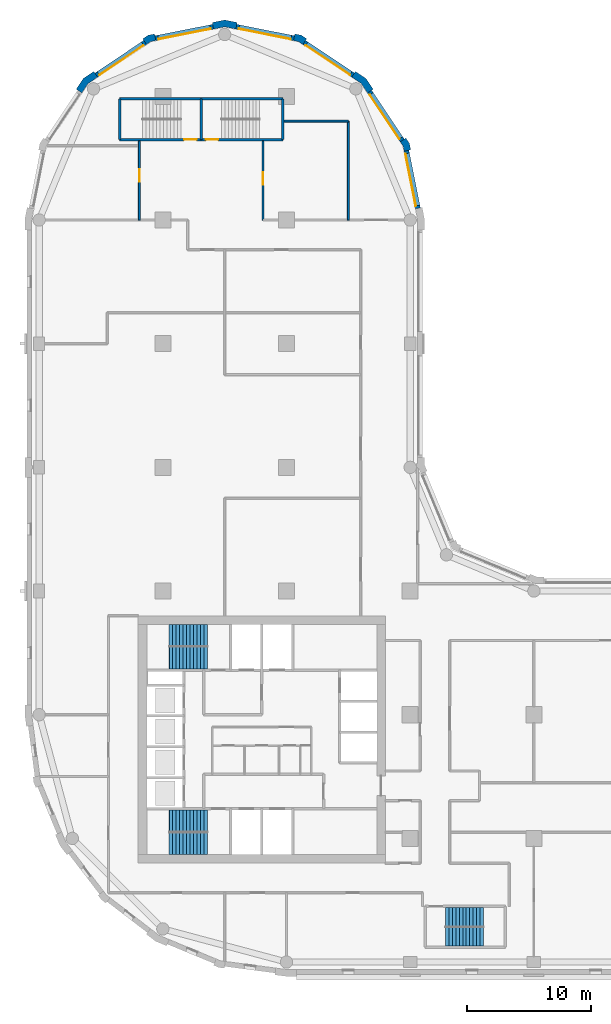
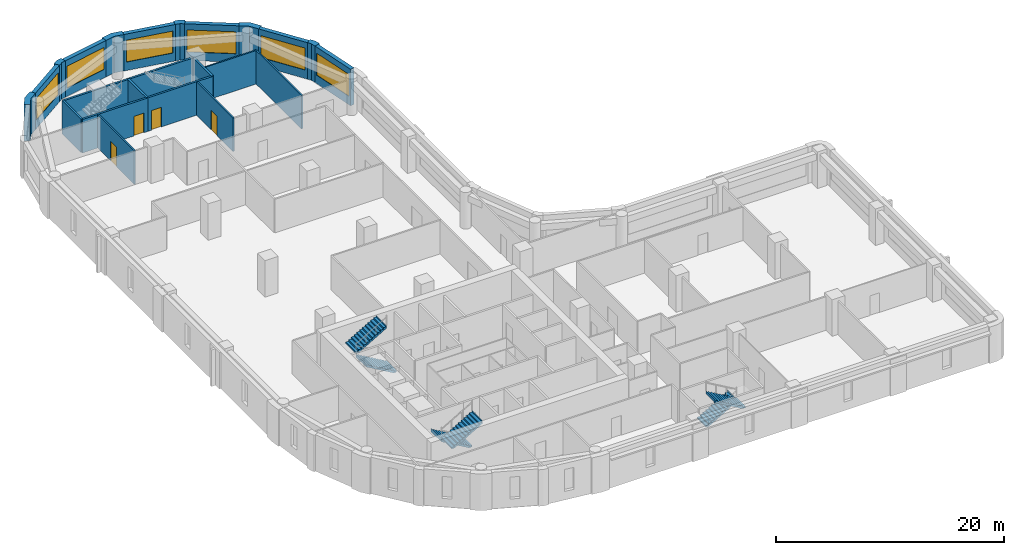
# One storey, part 6 of 9: 23 walls, 6 stair flights, 6 windows, 4 doors, 10 openings, 3 elements without a shape of their own.
"""IFC4 building model written with IfcOpenShell, lengths in metres."""

from ifc_helpers import new_model, si_unit, direction, frame, frame_2d, origin, place, context, subcontext, project, spatial, polyline, rectangle, outline, extrude, material, layer, layer_set, type_object, element, fill, aggregate, save


model = new_model("IFC4")

# Units and contexts
model_context = context("Model", 3, precision=1e-05, world=origin(), true_north=direction((0.0, 1.0)))
body_context = subcontext(model_context, "Body", "Model", "MODEL_VIEW")
ifc_project = project(units=[si_unit("LENGTHUNIT", "METRE"), si_unit("AREAUNIT", "SQUARE_METRE"), si_unit("VOLUMEUNIT", "CUBIC_METRE"), si_unit("PLANEANGLEUNIT", "RADIAN"), si_unit("MASSUNIT", "GRAM", prefix="KILO")], contexts=[model_context])

# Site, building, storey
site_placement = place(None, origin())
site = spatial("IfcSite", under=ifc_project, at=site_placement, CompositionType="ELEMENT")
building_placement = place(site_placement, origin())
building = spatial("IfcBuilding", under=site, at=building_placement, Name="Qaws Garden Tower", CompositionType="ELEMENT")
storey_placement = place(building_placement, frame((0.0, 0.0, 190.199951171875)))
storey = spatial("IfcBuildingStorey", under=building, at=storey_placement, Name="L46", CompositionType="ELEMENT", Elevation=190.199951171875)

# Wall, opening, window
ifc_material_1 = material(Name="Clay facing brick masonry", Category="masonry")
ifc_layer_1 = layer(ifc_material_1, 0.39990234375)
ifc_layer_set_1 = layer_set([ifc_layer_1], Name="Clay facing brick masonry")
wall_type_1 = type_object("IfcWallType", Name="Brick infill wall 400", PredefinedType="SOLIDWALL", material=ifc_layer_set_1)
wall_1_placement = place(storey_placement, frame((30.628662109375, 60.940673828125, 0.0), z_axis=(0.0, 0.0, 1.0), x_axis=(-0.195098533057, 0.98078364709, 0.0)))
wall_1 = element("IfcWall", 1, at=wall_1_placement, inside=storey, type_object=wall_type_1, Name="E-L46-infill-13", PredefinedType="SOLIDWALL", context=body_context, shape_type="SweptSolid", body=[
    extrude(rectangle(XDim=4.752685546875, YDim=0.39990234375, at=frame_2d((2.37646484375, 0.0))), origin(), (0.0, 0.0, 1.0), 3.900146484375),
])
opening_1_placement = place(wall_1_placement, frame((0.226318359375, 0.0, 0.89990234375)))
opening_1 = element("IfcOpeningElement", 2, at=opening_1_placement, cuts=wall_1, Name="Opening W06", PredefinedType="OPENING", context=body_context, shape_type="SweptSolid", body=[
    extrude(rectangle(XDim=4.300048828125, YDim=2.35009765625, at=frame_2d((2.14990234375, 1.175048828125))), frame((0.0, 0.2099609375, 0.0), z_axis=(0.0, -1.0, 0.0), x_axis=(1.0, 0.0, 0.0)), (0.0, 0.0, 1.0), 0.419921875),
])
ifc_material_2 = material(Name="Aluminium framed window, clear glazing", Category="aluminium")
window_type = type_object("IfcWindowType", Name="Ribbon window 4300 x 2350", PartitioningType="DOUBLE_PANEL_VERTICAL", PredefinedType="WINDOW", material=ifc_material_2)
window_1_placement = place(opening_1_placement, origin())
window_1 = element("IfcWindow", 3, at=window_1_placement, inside=storey, type_object=window_type, Name="E-L46-window-13-0", OverallHeight=2.35009765625, OverallWidth=4.300048828125, PartitioningType="SINGLE_PANEL", PredefinedType="WINDOW", context=body_context, shape_type="SweptSolid", body=[
    extrude(rectangle(XDim=4.300048828125, YDim=2.35009765625, at=frame_2d((2.14990234375, 1.175048828125))), frame((0.0, 0.159912109375, 0.0), z_axis=(0.0, -1.0, 0.0), x_axis=(1.0, 0.0, 0.0)), (0.0, 0.0, 1.0), 0.06005859375),
])
fill(opening_1, window_1)

wall_2_placement = place(storey_placement, frame((29.356689453125, 66.43408203125, 0.0), z_axis=(0.0, 0.0, 1.0), x_axis=(-0.555541552266, 0.831488775454, 0.0)))
wall_2 = element("IfcWall", 4, at=wall_2_placement, inside=storey, type_object=wall_type_1, Name="E-L46-infill-14", PredefinedType="SOLIDWALL", context=body_context, shape_type="SweptSolid", body=[
    extrude(rectangle(XDim=4.752685546875, YDim=0.39990234375, at=frame_2d((2.37646484375, 0.0))), origin(), (0.0, 0.0, 1.0), 3.900146484375),
])
opening_2_placement = place(wall_2_placement, frame((0.226318359375, 0.0, 0.89990234375)))
opening_2 = element("IfcOpeningElement", 5, at=opening_2_placement, cuts=wall_2, Name="Opening W06", PredefinedType="OPENING", context=body_context, shape_type="SweptSolid", body=[
    extrude(rectangle(XDim=4.300048828125, YDim=2.35009765625, at=frame_2d((2.14990234375, 1.175048828125))), frame((0.0, 0.2099609375, 0.0), z_axis=(0.0, -1.0, 0.0), x_axis=(1.0, 0.0, 0.0)), (0.0, 0.0, 1.0), 0.419921875),
])
window_2_placement = place(opening_2_placement, origin())
window_2 = element("IfcWindow", 6, at=window_2_placement, inside=storey, type_object=window_type, Name="E-L46-window-14-0", OverallHeight=2.35009765625, OverallWidth=4.300048828125, PartitioningType="SINGLE_PANEL", PredefinedType="WINDOW", context=body_context, shape_type="SweptSolid", body=[
    extrude(rectangle(XDim=4.300048828125, YDim=2.35009765625, at=frame_2d((2.14990234375, 1.175048828125))), frame((0.0, 0.159912109375, 0.0), z_axis=(0.0, -1.0, 0.0), x_axis=(1.0, 0.0, 0.0)), (0.0, 0.0, 1.0), 0.06005859375),
])
fill(opening_2, window_2)

wall_3_placement = place(storey_placement, frame((25.385986328125, 71.71630859375, 0.0), z_axis=(0.0, 0.0, 1.0), x_axis=(-0.831488775454, 0.555541552266, 0.0)))
wall_3 = element("IfcWall", 7, at=wall_3_placement, inside=storey, type_object=wall_type_1, Name="E-L46-infill-15", PredefinedType="SOLIDWALL", context=body_context, shape_type="SweptSolid", body=[
    extrude(rectangle(XDim=4.752685546875, YDim=0.39990234375, at=frame_2d((2.37646484375, 0.0))), origin(), (0.0, 0.0, 1.0), 3.900146484375),
])
opening_3_placement = place(wall_3_placement, frame((0.226318359375, 0.0, 0.89990234375)))
opening_3 = element("IfcOpeningElement", 8, at=opening_3_placement, cuts=wall_3, Name="Opening W06", PredefinedType="OPENING", context=body_context, shape_type="SweptSolid", body=[
    extrude(rectangle(XDim=4.300048828125, YDim=2.35009765625, at=frame_2d((2.14990234375, 1.175048828125))), frame((0.0, 0.2099609375, 0.0), z_axis=(0.0, -1.0, 0.0), x_axis=(1.0, 0.0, 0.0)), (0.0, 0.0, 1.0), 0.419921875),
])
window_3_placement = place(opening_3_placement, origin())
window_3 = element("IfcWindow", 9, at=window_3_placement, inside=storey, type_object=window_type, Name="E-L46-window-15-0", OverallHeight=2.35009765625, OverallWidth=4.300048828125, PartitioningType="SINGLE_PANEL", PredefinedType="WINDOW", context=body_context, shape_type="SweptSolid", body=[
    extrude(rectangle(XDim=4.300048828125, YDim=2.35009765625, at=frame_2d((2.14990234375, 1.175048828125))), frame((0.0, 0.159912109375, 0.0), z_axis=(0.0, -1.0, 0.0), x_axis=(1.0, 0.0, 0.0)), (0.0, 0.0, 1.0), 0.06005859375),
])
fill(opening_3, window_3)

wall_4_placement = place(storey_placement, frame((20.60205078125, 74.701416015625, 0.0), z_axis=(0.0, 0.0, 1.0), x_axis=(-0.98078364709, 0.195098533057, 0.0)))
wall_4 = element("IfcWall", 10, at=wall_4_placement, inside=storey, type_object=wall_type_1, Name="E-L46-infill-16", PredefinedType="SOLIDWALL", context=body_context, shape_type="SweptSolid", body=[
    extrude(rectangle(XDim=4.752685546875, YDim=0.39990234375, at=frame_2d((2.37646484375, 0.0))), origin(), (0.0, 0.0, 1.0), 3.900146484375),
])
opening_4_placement = place(wall_4_placement, frame((0.226318359375, 0.0, 0.89990234375)))
opening_4 = element("IfcOpeningElement", 11, at=opening_4_placement, cuts=wall_4, Name="Opening W06", PredefinedType="OPENING", context=body_context, shape_type="SweptSolid", body=[
    extrude(rectangle(XDim=4.300048828125, YDim=2.35009765625, at=frame_2d((2.14990234375, 1.175048828125))), frame((0.0, 0.2099609375, 0.0), z_axis=(0.0, -1.0, 0.0), x_axis=(1.0, 0.0, 0.0)), (0.0, 0.0, 1.0), 0.419921875),
])
window_4_placement = place(opening_4_placement, origin())
window_4 = element("IfcWindow", 12, at=window_4_placement, inside=storey, type_object=window_type, Name="E-L46-window-16-0", OverallHeight=2.35009765625, OverallWidth=4.300048828125, PartitioningType="SINGLE_PANEL", PredefinedType="WINDOW", context=body_context, shape_type="SweptSolid", body=[
    extrude(rectangle(XDim=4.300048828125, YDim=2.35009765625, at=frame_2d((2.14990234375, 1.175048828125))), frame((0.0, 0.159912109375, 0.0), z_axis=(0.0, -1.0, 0.0), x_axis=(1.0, 0.0, 0.0)), (0.0, 0.0, 1.0), 0.06005859375),
])
fill(opening_4, window_4)

wall_5_placement = place(storey_placement, frame((14.059326171875, 75.628662109375, 0.0), z_axis=(0.0, 0.0, 1.0), x_axis=(-0.98078364709, -0.195098533057, 0.0)))
wall_5 = element("IfcWall", 13, at=wall_5_placement, inside=storey, type_object=wall_type_1, Name="E-L46-infill-17", PredefinedType="SOLIDWALL", context=body_context, shape_type="SweptSolid", body=[
    extrude(rectangle(XDim=4.752685546875, YDim=0.39990234375, at=frame_2d((2.37646484375, 0.0))), origin(), (0.0, 0.0, 1.0), 3.900146484375),
])
opening_5_placement = place(wall_5_placement, frame((0.226318359375, 0.0, 0.89990234375)))
opening_5 = element("IfcOpeningElement", 14, at=opening_5_placement, cuts=wall_5, Name="Opening W06", PredefinedType="OPENING", context=body_context, shape_type="SweptSolid", body=[
    extrude(rectangle(XDim=4.300048828125, YDim=2.35009765625, at=frame_2d((2.14990234375, 1.175048828125))), frame((0.0, 0.2099609375, 0.0), z_axis=(0.0, -1.0, 0.0), x_axis=(1.0, 0.0, 0.0)), (0.0, 0.0, 1.0), 0.419921875),
])
window_5_placement = place(opening_5_placement, origin())
window_5 = element("IfcWindow", 15, at=window_5_placement, inside=storey, type_object=window_type, Name="E-L46-window-17-0", OverallHeight=2.35009765625, OverallWidth=4.300048828125, PartitioningType="SINGLE_PANEL", PredefinedType="WINDOW", context=body_context, shape_type="SweptSolid", body=[
    extrude(rectangle(XDim=4.300048828125, YDim=2.35009765625, at=frame_2d((2.14990234375, 1.175048828125))), frame((0.0, 0.159912109375, 0.0), z_axis=(0.0, -1.0, 0.0), x_axis=(1.0, 0.0, 0.0)), (0.0, 0.0, 1.0), 0.06005859375),
])
fill(opening_5, window_5)

wall_6_placement = place(storey_placement, frame((8.56591796875, 74.356689453125, 0.0), z_axis=(0.0, 0.0, 1.0), x_axis=(-0.831488775454, -0.555541552266, 0.0)))
wall_6 = element("IfcWall", 16, at=wall_6_placement, inside=storey, type_object=wall_type_1, Name="E-L46-infill-18", PredefinedType="SOLIDWALL", context=body_context, shape_type="SweptSolid", body=[
    extrude(rectangle(XDim=4.752685546875, YDim=0.39990234375, at=frame_2d((2.37646484375, 0.0))), origin(), (0.0, 0.0, 1.0), 3.900146484375),
])
opening_6_placement = place(wall_6_placement, frame((0.226318359375, 0.0, 0.89990234375)))
opening_6 = element("IfcOpeningElement", 17, at=opening_6_placement, cuts=wall_6, Name="Opening W06", PredefinedType="OPENING", context=body_context, shape_type="SweptSolid", body=[
    extrude(rectangle(XDim=4.300048828125, YDim=2.35009765625, at=frame_2d((2.14990234375, 1.175048828125))), frame((0.0, 0.2099609375, 0.0), z_axis=(0.0, -1.0, 0.0), x_axis=(1.0, 0.0, 0.0)), (0.0, 0.0, 1.0), 0.419921875),
])
window_6_placement = place(opening_6_placement, origin())
window_6 = element("IfcWindow", 18, at=window_6_placement, inside=storey, type_object=window_type, Name="E-L46-window-18-0", OverallHeight=2.35009765625, OverallWidth=4.300048828125, PartitioningType="SINGLE_PANEL", PredefinedType="WINDOW", context=body_context, shape_type="SweptSolid", body=[
    extrude(rectangle(XDim=4.300048828125, YDim=2.35009765625, at=frame_2d((2.14990234375, 1.175048828125))), frame((0.0, 0.159912109375, 0.0), z_axis=(0.0, -1.0, 0.0), x_axis=(1.0, 0.0, 0.0)), (0.0, 0.0, 1.0), 0.06005859375),
])
fill(opening_6, window_6)

# Walls
ifc_material_3 = material(Name="Clay facing brick masonry", Category="masonry")
ifc_layer_2 = layer(ifc_material_3, 0.550048828125)
ifc_layer_set_2 = layer_set([ifc_layer_2], Name="Clay facing brick masonry")
wall_type_2 = type_object("IfcWallType", Name="Brick kink pier 550 x 600", PredefinedType="SOLIDWALL", material=ifc_layer_set_2)
placement = place(storey_placement, origin())
element("IfcWall", 19, at=placement, inside=storey, type_object=wall_type_2, Name="E-L46-pier-14", PredefinedType="SOLIDWALL", context=body_context, shape_type="SweptSolid", body=[
    extrude(outline(polyline([(29.8974609375, 65.64111328125), (30.044677734375, 65.67041015625), (29.94140625, 66.18896484375), (29.647705078125, 66.628662109375), (29.52294921875, 66.545166015625), (29.1904296875, 66.322998046875), (29.42333984375, 65.974365234375), (29.505126953125, 65.56298828125), (29.8974609375, 65.64111328125)])), origin(), (0.0, 0.0, 1.0), 3.900146484375),
])
element("IfcWall", 20, at=placement, inside=storey, type_object=wall_type_2, Name="E-L46-pier-16", PredefinedType="SOLIDWALL", context=body_context, shape_type="SweptSolid", body=[
    extrude(outline(polyline([(21.545166015625, 74.52294921875), (21.628662109375, 74.647705078125), (21.18896484375, 74.94140625), (20.67041015625, 75.044677734375), (20.64111328125, 74.8974609375), (20.56298828125, 74.505126953125), (20.974365234375, 74.42333984375), (21.322998046875, 74.1904296875), (21.545166015625, 74.52294921875)])), origin(), (0.0, 0.0, 1.0), 3.900146484375),
])
element("IfcWall", 21, at=placement, inside=storey, type_object=wall_type_2, Name="E-L46-pier-18", PredefinedType="SOLIDWALL", context=body_context, shape_type="SweptSolid", body=[
    extrude(outline(polyline([(9.35888671875, 74.8974609375), (9.32958984375, 75.044677734375), (8.81103515625, 74.94140625), (8.371337890625, 74.647705078125), (8.454833984375, 74.52294921875), (8.677001953125, 74.1904296875), (9.025634765625, 74.42333984375), (9.43701171875, 74.505126953125), (9.35888671875, 74.8974609375)])), origin(), (0.0, 0.0, 1.0), 3.900146484375),
])
ifc_material_4 = material(Name="Clay facing brick masonry", Category="masonry")
ifc_layer_3 = layer(ifc_material_4, 0.550048828125)
ifc_layer_set_3 = layer_set([ifc_layer_3], Name="Clay facing brick masonry")
wall_type_3 = type_object("IfcWallType", Name="Brick pier 550 x 1600", PredefinedType="SOLIDWALL", material=ifc_layer_set_3)
element("IfcWall", 22, at=placement, inside=storey, type_object=wall_type_3, Name="E-L46-pier-15", PredefinedType="SOLIDWALL", context=body_context, shape_type="SweptSolid", body=[
    extrude(outline(polyline([(26.882568359375, 70.4970703125), (27.00732421875, 70.580322265625), (26.435791015625, 71.435791015625), (25.580322265625, 72.00732421875), (25.4970703125, 71.882568359375), (25.274658203125, 71.550048828125), (26.0390625, 71.0390625), (26.550048828125, 70.274658203125), (26.882568359375, 70.4970703125)])), origin(), (0.0, 0.0, 1.0), 3.900146484375),
])
element("IfcWall", 23, at=placement, inside=storey, type_object=wall_type_3, Name="E-L46-pier-17", PredefinedType="SOLIDWALL", context=body_context, shape_type="SweptSolid", body=[
    extrude(outline(polyline([(15.979736328125, 75.82470703125), (16.009033203125, 75.971923828125), (15.0, 76.172607421875), (13.990966796875, 75.971923828125), (14.020263671875, 75.82470703125), (14.098388671875, 75.432373046875), (15.0, 75.61181640625), (15.901611328125, 75.432373046875), (15.979736328125, 75.82470703125)])), origin(), (0.0, 0.0, 1.0), 3.900146484375),
])
element("IfcWall", 24, at=placement, inside=storey, type_object=wall_type_3, Name="E-L46-pier-19", PredefinedType="SOLIDWALL", context=body_context, shape_type="SweptSolid", body=[
    extrude(outline(polyline([(4.5029296875, 71.882568359375), (4.419677734375, 72.00732421875), (3.564208984375, 71.435791015625), (2.99267578125, 70.580322265625), (3.117431640625, 70.4970703125), (3.449951171875, 70.274658203125), (3.9609375, 71.0390625), (4.725341796875, 71.550048828125), (4.5029296875, 71.882568359375)])), origin(), (0.0, 0.0, 1.0), 3.900146484375),
])

# Wall, opening, door
ifc_material_5 = material(Name="Concrete C70", Category="concrete")
ifc_layer_4 = layer(ifc_material_5, 0.199951171875)
ifc_layer_set_4 = layer_set([ifc_layer_4], Name="Concrete C70")
wall_type_4 = type_object("IfcWallType", Name="Core shaft wall 200 C70", PredefinedType="SHEAR", material=ifc_layer_set_4)
wall_13_placement = place(storey_placement, frame((6.5, 66.5, 0.0), z_axis=(0.0, 0.0, 1.0), x_axis=(1.0, 0.0, 0.0)))
wall_13 = element("IfcWall", 25, at=wall_13_placement, inside=storey, type_object=wall_type_4, Name="Shaft wall", PredefinedType="SHEAR", context=body_context, shape_type="SweptSolid", body=[
    extrude(rectangle(XDim=6.60009765625, YDim=0.199951171875, at=frame_2d((3.300048828125, 0.0))), origin(), (0.0, 0.0, 1.0), 3.580078125),
])
opening_7_placement = place(wall_13_placement, frame((5.22509765625, 0.0, 0.0)))
opening_7 = element("IfcOpeningElement", 26, at=opening_7_placement, cuts=wall_13, Name="Opening SD13", PredefinedType="OPENING", context=body_context, shape_type="SweptSolid", body=[
    extrude(rectangle(XDim=1.0, YDim=2.10009765625, at=frame_2d((0.5, 1.050048828125))), frame((0.0, 0.10986328125, 0.0), z_axis=(0.0, -1.0, 0.0), x_axis=(1.0, 0.0, 0.0)), (0.0, 0.0, 1.0), 0.219970703125),
])
ifc_material_6 = material(Name="Steel S235", Category="steel")
door_type_1 = type_object("IfcDoorType", Name="Stair door 1000x2100", OperationType="SINGLE_SWING_RIGHT", PredefinedType="DOOR", material=ifc_material_6)
door_1_placement = place(opening_7_placement, origin())
door_1 = element("IfcDoor", 27, at=door_1_placement, inside=storey, type_object=door_type_1, Name="Stair 6 door", OperationType="SINGLE_SWING_RIGHT", OverallHeight=2.10009765625, OverallWidth=1.0, PredefinedType="DOOR", context=body_context, shape_type="SweptSolid", body=[
    extrude(rectangle(XDim=1.0, YDim=2.10009765625, at=frame_2d((0.5, 1.050048828125))), frame((0.0, 0.02490234375, 0.0), z_axis=(0.0, -1.0, 0.0), x_axis=(1.0, 0.0, 0.0)), (0.0, 0.0, 1.0), 0.050048828125),
])
fill(opening_7, door_1)

wall_14_placement = place(storey_placement, frame((13.10009765625, 66.5, 0.0), z_axis=(0.0, 0.0, 1.0), x_axis=(1.0, 0.0, 0.0)))
wall_14 = element("IfcWall", 28, at=wall_14_placement, inside=storey, type_object=wall_type_4, Name="Shaft wall", PredefinedType="SHEAR", context=body_context, shape_type="SweptSolid", body=[
    extrude(rectangle(XDim=6.599853515625, YDim=0.199951171875, at=frame_2d((3.2998046875, 0.0))), origin(), (0.0, 0.0, 1.0), 3.580078125),
])
opening_8_placement = place(wall_14_placement, frame((0.375, 0.0, 0.0)))
opening_8 = element("IfcOpeningElement", 29, at=opening_8_placement, cuts=wall_14, Name="Opening SD14", PredefinedType="OPENING", context=body_context, shape_type="SweptSolid", body=[
    extrude(rectangle(XDim=1.0, YDim=2.10009765625, at=frame_2d((0.5, 1.050048828125))), frame((0.0, 0.10986328125, 0.0), z_axis=(0.0, -1.0, 0.0), x_axis=(1.0, 0.0, 0.0)), (0.0, 0.0, 1.0), 0.219970703125),
])
door_2_placement = place(opening_8_placement, origin())
door_2 = element("IfcDoor", 30, at=door_2_placement, inside=storey, type_object=door_type_1, Name="Stair 7 door", OperationType="SINGLE_SWING_LEFT", OverallHeight=2.10009765625, OverallWidth=1.0, PredefinedType="DOOR", context=body_context, shape_type="SweptSolid", body=[
    extrude(rectangle(XDim=1.0, YDim=2.10009765625, at=frame_2d((0.5, 1.050048828125))), frame((0.0, 0.02490234375, 0.0), z_axis=(0.0, -1.0, 0.0), x_axis=(1.0, 0.0, 0.0)), (0.0, 0.0, 1.0), 0.050048828125),
])
fill(opening_8, door_2)

# Walls
wall_15_placement = place(storey_placement, frame((6.5, 69.800048828125, 0.0), z_axis=(0.0, 0.0, 1.0), x_axis=(1.0, 0.0, 0.0)))
element("IfcWall", 31, at=wall_15_placement, inside=storey, type_object=wall_type_4, Name="Shaft wall", PredefinedType="SHEAR", context=body_context, shape_type="SweptSolid", body=[
    extrude(rectangle(XDim=6.60009765625, YDim=0.199951171875, at=frame_2d((3.300048828125, 0.0))), origin(), (0.0, 0.0, 1.0), 3.580078125),
])
wall_16_placement = place(storey_placement, frame((13.10009765625, 69.800048828125, 0.0), z_axis=(0.0, 0.0, 1.0), x_axis=(1.0, 0.0, 0.0)))
element("IfcWall", 32, at=wall_16_placement, inside=storey, type_object=wall_type_4, Name="Shaft wall", PredefinedType="SHEAR", context=body_context, shape_type="SweptSolid", body=[
    extrude(rectangle(XDim=6.599853515625, YDim=0.199951171875, at=frame_2d((3.2998046875, 0.0))), origin(), (0.0, 0.0, 1.0), 3.580078125),
])
for number, where, z_axis, x_axis, name in (
    (33, (6.5, 66.5, 0.0), (0.0, 0.0, 1.0), (0.0, 1.0, 0.0), "Shaft wall"),
    (34, (13.10009765625, 66.5, 0.0), (0.0, 0.0, 1.0), (0.0, 1.0, 0.0), "Shaft wall"),
    (35, (19.699951171875, 66.5, 0.0), (0.0, 0.0, 1.0), (0.0, 1.0, 0.0), "Shaft wall"),
):
    element("IfcWall", number, at=place(storey_placement, frame(where, z_axis=z_axis, x_axis=x_axis)), inside=storey, type_object=wall_type_4, Name=name, PredefinedType="SHEAR", context=body_context, shape_type="SweptSolid", body=[
        extrude(rectangle(XDim=3.300048828125, YDim=0.199951171875, at=frame_2d((1.64990234375, 0.0))), origin(), (0.0, 0.0, 1.0), 3.580078125),
    ])

# Wall, opening, door
ifc_material_7 = material(Name="Gypsum board partition")
ifc_layer_5 = layer(ifc_material_7, 0.14990234375)
ifc_layer_set_5 = layer_set([ifc_layer_5], Name="Gypsum board partition")
wall_type_5 = type_object("IfcWallType", Name="PARTITION 150 EI 60", PredefinedType="PARTITIONING", material=ifc_layer_set_5)
wall_17_placement = place(storey_placement, frame((8.10009765625, 60.0, 0.0), z_axis=(0.0, 0.0, 1.0), x_axis=(0.0, 1.0, 0.0)))
wall_17 = element("IfcWall", 36, at=wall_17_placement, inside=storey, type_object=wall_type_5, Name="O-L46-wall-005", PredefinedType="PARTITIONING", context=body_context, shape_type="SweptSolid", body=[
    extrude(rectangle(XDim=6.39990234375, YDim=0.14990234375, at=frame_2d((3.199951171875, 0.0))), origin(), (0.0, 0.0, 1.0), 3.580078125),
])
opening_9_placement = place(wall_17_placement, frame((3.10009765625, 0.0, 0.0)))
opening_9 = element("IfcOpeningElement", 37, at=opening_9_placement, cuts=wall_17, Name="Opening B609", PredefinedType="OPENING", context=body_context, shape_type="SweptSolid", body=[
    extrude(rectangle(XDim=1.0, YDim=2.10009765625, at=frame_2d((0.5, 1.050048828125))), frame((0.0, 0.0849609375, 0.0), z_axis=(0.0, -1.0, 0.0), x_axis=(1.0, 0.0, 0.0)), (0.0, 0.0, 1.0), 0.169921875),
])
ifc_material_8 = material(Name="Timber door leaf", Category="wood")
door_type_2 = type_object("IfcDoorType", Name="TENANCY ENTRANCE DOOR 1000 X 2100", OperationType="SINGLE_SWING_LEFT", PredefinedType="DOOR", material=ifc_material_8)
door_3_placement = place(opening_9_placement, origin())
door_3 = element("IfcDoor", 38, at=door_3_placement, inside=storey, type_object=door_type_2, Name="O-L46-door-009", OperationType="SINGLE_SWING_LEFT", OverallHeight=2.10009765625, OverallWidth=1.0, PredefinedType="DOOR", context=body_context, shape_type="SweptSolid", body=[
    extrude(rectangle(XDim=1.0, YDim=2.10009765625, at=frame_2d((0.5, 1.050048828125))), frame((0.0, 0.02490234375, 0.0), z_axis=(0.0, -1.0, 0.0), x_axis=(1.0, 0.0, 0.0)), (0.0, 0.0, 1.0), 0.050048828125),
])
fill(opening_9, door_3)

wall_18_placement = place(storey_placement, frame((18.10009765625, 60.0, 0.0), z_axis=(0.0, 0.0, 1.0), x_axis=(0.0, 1.0, 0.0)))
wall_18 = element("IfcWall", 39, at=wall_18_placement, inside=storey, type_object=wall_type_5, Name="O-L46-wall-010", PredefinedType="PARTITIONING", context=body_context, shape_type="SweptSolid", body=[
    extrude(rectangle(XDim=6.39990234375, YDim=0.14990234375, at=frame_2d((3.199951171875, 0.0))), origin(), (0.0, 0.0, 1.0), 3.580078125),
])
opening_10_placement = place(wall_18_placement, frame((2.85009765625, 0.0, 0.0)))
opening_10 = element("IfcOpeningElement", 40, at=opening_10_placement, cuts=wall_18, Name="Opening B610", PredefinedType="OPENING", context=body_context, shape_type="SweptSolid", body=[
    extrude(rectangle(XDim=1.0, YDim=2.10009765625, at=frame_2d((0.5, 1.050048828125))), frame((0.0, 0.0849609375, 0.0), z_axis=(0.0, -1.0, 0.0), x_axis=(1.0, 0.0, 0.0)), (0.0, 0.0, 1.0), 0.169921875),
])
door_4_placement = place(opening_10_placement, frame((1.0, 0.0, 0.0), z_axis=(0.0, 0.0, 1.0), x_axis=(-1.0, 0.0, 0.0)))
door_4 = element("IfcDoor", 41, at=door_4_placement, inside=storey, type_object=door_type_2, Name="O-L46-door-010", OperationType="SINGLE_SWING_RIGHT", OverallHeight=2.10009765625, OverallWidth=1.0, PredefinedType="DOOR", context=body_context, shape_type="SweptSolid", body=[
    extrude(rectangle(XDim=1.0, YDim=2.10009765625, at=frame_2d((0.5, 1.050048828125))), frame((0.0, 0.02490234375, 0.0), z_axis=(0.0, -1.0, 0.0), x_axis=(1.0, 0.0, 0.0)), (0.0, 0.0, 1.0), 0.050048828125),
])
fill(opening_10, door_4)

# Walls
wall_19_placement = place(storey_placement, frame((25.0, 60.0, 0.0), z_axis=(0.0, 0.0, 1.0), x_axis=(0.0, 1.0, 0.0)))
element("IfcWall", 42, at=wall_19_placement, inside=storey, type_object=wall_type_5, Name="O-L46-wall-012", PredefinedType="PARTITIONING", context=body_context, shape_type="SweptSolid", body=[
    extrude(rectangle(XDim=8.0, YDim=0.14990234375, at=frame_2d((4.0, 0.0))), origin(), (0.0, 0.0, 1.0), 3.580078125),
])
wall_20_placement = place(storey_placement, frame((19.800048828125, 68.0, 0.0), z_axis=(0.0, 0.0, 1.0), x_axis=(1.0, 0.0, 0.0)))
element("IfcWall", 43, at=wall_20_placement, inside=storey, type_object=wall_type_5, Name="O-L46-wall-054", PredefinedType="PARTITIONING", context=body_context, shape_type="SweptSolid", body=[
    extrude(rectangle(XDim=5.199951171875, YDim=0.14990234375, at=frame_2d((2.60009765625, 0.0))), origin(), (0.0, 0.0, 1.0), 3.580078125),
])

# Stair, stair flights
ifc_material_9 = material(Name="Concrete C40", Category="concrete")
stair_type_1 = type_object("IfcStairType", Name="Exit stair 1350", PredefinedType="HALF_TURN_STAIR", material=ifc_material_9)
stair_1 = element("IfcStair", 44, at=placement, inside=storey, type_object=stair_type_1, Name="Stair 5", PredefinedType="HALF_TURN_STAIR")
ifc_material_10 = material(Name="Concrete C40", Category="concrete")
stair_flight_type_1 = type_object("IfcStairFlightType", Name="Stair flight 1350", PredefinedType="STRAIGHT", material=ifc_material_10)
stair_flight_1_placement = place(storey_placement, frame((32.85009765625, 3.625, 0.0), z_axis=(0.0, 0.0, 1.0), x_axis=(1.0, 0.0, 0.0)))
stair_flight_1 = element("IfcStairFlight", 45, at=stair_flight_1_placement, type_object=stair_flight_type_1, Name="ST5 flight 1", NumberOfRisers=12, NumberOfTreads=11, PredefinedType="STRAIGHT", RiserHeight=0.1625, TreadLength=0.28, context=body_context, shape_type="SweptSolid", body=[
    extrude(outline(polyline([(-0.0029296875, 0.0), (-0.0029296875, 0.16259765625), (0.0, 0.16259765625), (0.280029296875, 0.16259765625), (0.280029296875, 0.324951171875), (0.56005859375, 0.324951171875), (0.56005859375, 0.487548828125), (0.840087890625, 0.487548828125), (0.840087890625, 0.64990234375), (1.1201171875, 0.64990234375), (1.1201171875, 0.8125), (1.39990234375, 0.8125), (1.39990234375, 0.97509765625), (1.679931640625, 0.97509765625), (1.679931640625, 1.137451171875), (1.9599609375, 1.137451171875), (1.9599609375, 1.300048828125), (2.239990234375, 1.300048828125), (2.239990234375, 1.46240234375), (2.52001953125, 1.46240234375), (2.52001953125, 1.625), (2.800048828125, 1.625), (2.800048828125, 1.78759765625), (3.080078125, 1.78759765625), (3.080078125, 1.949951171875), (3.0830078125, 1.949951171875), (3.0830078125, 1.6142578125), (3.080078125, 1.6142578125), (0.298583984375, 0.0), (-0.0029296875, 0.0)])), frame((0.0, 0.77490234375, 0.0), z_axis=(0.0, -1.0, 0.0), x_axis=(1.0, 0.0, 0.0)), (0.0, 0.0, 1.0), 1.550048828125),
])
stair_flight_2_placement = place(storey_placement, frame((35.929931640625, 2.074951171875, 1.949951171875), z_axis=(0.0, 0.0, 1.0), x_axis=(-1.0, 0.0, 0.0)))
stair_flight_2 = element("IfcStairFlight", 46, at=stair_flight_2_placement, type_object=stair_flight_type_1, Name="ST5 flight 2", NumberOfRisers=12, NumberOfTreads=11, PredefinedType="STRAIGHT", RiserHeight=0.1625, TreadLength=0.28, context=body_context, shape_type="SweptSolid", body=[
    extrude(outline(polyline([(-0.0029296875, 0.0), (-0.0029296875, 0.16259765625), (0.0, 0.16259765625), (0.280029296875, 0.16259765625), (0.280029296875, 0.324951171875), (0.56005859375, 0.324951171875), (0.56005859375, 0.487548828125), (0.840087890625, 0.487548828125), (0.840087890625, 0.64990234375), (1.1201171875, 0.64990234375), (1.1201171875, 0.8125), (1.39990234375, 0.8125), (1.39990234375, 0.97509765625), (1.679931640625, 0.97509765625), (1.679931640625, 1.137451171875), (1.9599609375, 1.137451171875), (1.9599609375, 1.300048828125), (2.239990234375, 1.300048828125), (2.239990234375, 1.46240234375), (2.52001953125, 1.46240234375), (2.52001953125, 1.625), (2.800048828125, 1.625), (2.800048828125, 1.78759765625), (3.080078125, 1.78759765625), (3.080078125, 1.949951171875), (3.0830078125, 1.949951171875), (3.0830078125, 1.6142578125), (3.080078125, 1.6142578125), (0.298583984375, 0.0), (-0.0029296875, 0.0)])), frame((0.0, 0.77490234375, 0.0), z_axis=(0.0, -1.0, 0.0), x_axis=(1.0, 0.0, 0.0)), (0.0, 0.0, 1.0), 1.550048828125),
])
aggregate(stair_1, [stair_flight_1, stair_flight_2])

ifc_material_11 = material(Name="Concrete C40", Category="concrete")
stair_type_2 = type_object("IfcStairType", Name="Exit stair 1500", PredefinedType="HALF_TURN_STAIR", material=ifc_material_11)
stair_2 = element("IfcStair", 47, at=placement, inside=storey, type_object=stair_type_2, Name="Stair 1", PredefinedType="HALF_TURN_STAIR")
ifc_material_12 = material(Name="Concrete C40", Category="concrete")
stair_flight_type_2 = type_object("IfcStairFlightType", Name="Stair flight 1500", PredefinedType="STRAIGHT", material=ifc_material_12)
stair_flight_3_placement = place(storey_placement, frame((13.60009765625, 11.39990234375, 0.0), z_axis=(0.0, 0.0, 1.0), x_axis=(-1.0, 0.0, 0.0)))
stair_flight_3 = element("IfcStairFlight", 48, at=stair_flight_3_placement, type_object=stair_flight_type_2, Name="ST1 flight 1", NumberOfRisers=12, NumberOfTreads=11, PredefinedType="STRAIGHT", RiserHeight=0.1625, TreadLength=0.28, context=body_context, shape_type="SweptSolid", body=[
    extrude(outline(polyline([(-0.0029296875, 0.0), (-0.0029296875, 0.16259765625), (0.0, 0.16259765625), (0.280029296875, 0.16259765625), (0.280029296875, 0.324951171875), (0.56005859375, 0.324951171875), (0.56005859375, 0.487548828125), (0.840087890625, 0.487548828125), (0.840087890625, 0.64990234375), (1.1201171875, 0.64990234375), (1.1201171875, 0.8125), (1.39990234375, 0.8125), (1.39990234375, 0.97509765625), (1.679931640625, 0.97509765625), (1.679931640625, 1.137451171875), (1.9599609375, 1.137451171875), (1.9599609375, 1.300048828125), (2.239990234375, 1.300048828125), (2.239990234375, 1.46240234375), (2.52001953125, 1.46240234375), (2.52001953125, 1.625), (2.800048828125, 1.625), (2.800048828125, 1.78759765625), (3.080078125, 1.78759765625), (3.080078125, 1.949951171875), (3.0830078125, 1.949951171875), (3.0830078125, 1.6142578125), (3.080078125, 1.6142578125), (0.298583984375, 0.0), (-0.0029296875, 0.0)])), frame((0.0, 0.89990234375, 0.0), z_axis=(0.0, -1.0, 0.0), x_axis=(1.0, 0.0, 0.0)), (0.0, 0.0, 1.0), 1.800048828125),
])
stair_flight_4_placement = place(storey_placement, frame((10.52001953125, 9.60009765625, 1.949951171875), z_axis=(0.0, 0.0, 1.0), x_axis=(1.0, 0.0, 0.0)))
stair_flight_4 = element("IfcStairFlight", 49, at=stair_flight_4_placement, type_object=stair_flight_type_2, Name="ST1 flight 2", NumberOfRisers=12, NumberOfTreads=11, PredefinedType="STRAIGHT", RiserHeight=0.1625, TreadLength=0.28, context=body_context, shape_type="SweptSolid", body=[
    extrude(outline(polyline([(-0.0029296875, 0.0), (-0.0029296875, 0.16259765625), (0.0, 0.16259765625), (0.280029296875, 0.16259765625), (0.280029296875, 0.324951171875), (0.56005859375, 0.324951171875), (0.56005859375, 0.487548828125), (0.840087890625, 0.487548828125), (0.840087890625, 0.64990234375), (1.1201171875, 0.64990234375), (1.1201171875, 0.8125), (1.39990234375, 0.8125), (1.39990234375, 0.97509765625), (1.679931640625, 0.97509765625), (1.679931640625, 1.137451171875), (1.9599609375, 1.137451171875), (1.9599609375, 1.300048828125), (2.239990234375, 1.300048828125), (2.239990234375, 1.46240234375), (2.52001953125, 1.46240234375), (2.52001953125, 1.625), (2.800048828125, 1.625), (2.800048828125, 1.78759765625), (3.080078125, 1.78759765625), (3.080078125, 1.949951171875), (3.0830078125, 1.949951171875), (3.0830078125, 1.6142578125), (3.080078125, 1.6142578125), (0.298583984375, 0.0), (-0.0029296875, 0.0)])), frame((0.0, 0.89990234375, 0.0), z_axis=(0.0, -1.0, 0.0), x_axis=(1.0, 0.0, 0.0)), (0.0, 0.0, 1.0), 1.800048828125),
])
aggregate(stair_2, [stair_flight_3, stair_flight_4])

stair_3 = element("IfcStair", 50, at=placement, inside=storey, type_object=stair_type_2, Name="Stair 4", PredefinedType="HALF_TURN_STAIR")
stair_flight_5_placement = place(storey_placement, frame((13.60009765625, 24.60009765625, 0.0), z_axis=(0.0, 0.0, 1.0), x_axis=(-1.0, 0.0, 0.0)))
stair_flight_5 = element("IfcStairFlight", 51, at=stair_flight_5_placement, type_object=stair_flight_type_2, Name="ST4 flight 1", NumberOfRisers=12, NumberOfTreads=11, PredefinedType="STRAIGHT", RiserHeight=0.1625, TreadLength=0.28, context=body_context, shape_type="SweptSolid", body=[
    extrude(outline(polyline([(-0.0029296875, 0.0), (-0.0029296875, 0.16259765625), (0.0, 0.16259765625), (0.280029296875, 0.16259765625), (0.280029296875, 0.324951171875), (0.56005859375, 0.324951171875), (0.56005859375, 0.487548828125), (0.840087890625, 0.487548828125), (0.840087890625, 0.64990234375), (1.1201171875, 0.64990234375), (1.1201171875, 0.8125), (1.39990234375, 0.8125), (1.39990234375, 0.97509765625), (1.679931640625, 0.97509765625), (1.679931640625, 1.137451171875), (1.9599609375, 1.137451171875), (1.9599609375, 1.300048828125), (2.239990234375, 1.300048828125), (2.239990234375, 1.46240234375), (2.52001953125, 1.46240234375), (2.52001953125, 1.625), (2.800048828125, 1.625), (2.800048828125, 1.78759765625), (3.080078125, 1.78759765625), (3.080078125, 1.949951171875), (3.0830078125, 1.949951171875), (3.0830078125, 1.6142578125), (3.080078125, 1.6142578125), (0.298583984375, 0.0), (-0.0029296875, 0.0)])), frame((0.0, 0.89501953125, 0.0), z_axis=(0.0, -1.0, 0.0), x_axis=(1.0, 0.0, 0.0)), (0.0, 0.0, 1.0), 1.7900390625),
])
stair_flight_6_placement = place(storey_placement, frame((10.52001953125, 26.39990234375, 1.949951171875), z_axis=(0.0, 0.0, 1.0), x_axis=(1.0, 0.0, 0.0)))
stair_flight_6 = element("IfcStairFlight", 52, at=stair_flight_6_placement, type_object=stair_flight_type_2, Name="ST4 flight 2", NumberOfRisers=12, NumberOfTreads=11, PredefinedType="STRAIGHT", RiserHeight=0.1625, TreadLength=0.28, context=body_context, shape_type="SweptSolid", body=[
    extrude(outline(polyline([(-0.0029296875, 0.0), (-0.0029296875, 0.16259765625), (0.0, 0.16259765625), (0.280029296875, 0.16259765625), (0.280029296875, 0.324951171875), (0.56005859375, 0.324951171875), (0.56005859375, 0.487548828125), (0.840087890625, 0.487548828125), (0.840087890625, 0.64990234375), (1.1201171875, 0.64990234375), (1.1201171875, 0.8125), (1.39990234375, 0.8125), (1.39990234375, 0.97509765625), (1.679931640625, 0.97509765625), (1.679931640625, 1.137451171875), (1.9599609375, 1.137451171875), (1.9599609375, 1.300048828125), (2.239990234375, 1.300048828125), (2.239990234375, 1.46240234375), (2.52001953125, 1.46240234375), (2.52001953125, 1.625), (2.800048828125, 1.625), (2.800048828125, 1.78759765625), (3.080078125, 1.78759765625), (3.080078125, 1.949951171875), (3.0830078125, 1.949951171875), (3.0830078125, 1.6142578125), (3.080078125, 1.6142578125), (0.298583984375, 0.0), (-0.0029296875, 0.0)])), frame((0.0, 0.89501953125, 0.0), z_axis=(0.0, -1.0, 0.0), x_axis=(1.0, 0.0, 0.0)), (0.0, 0.0, 1.0), 1.7900390625),
])
aggregate(stair_3, [stair_flight_5, stair_flight_6])

save(model, "model.ifc")
